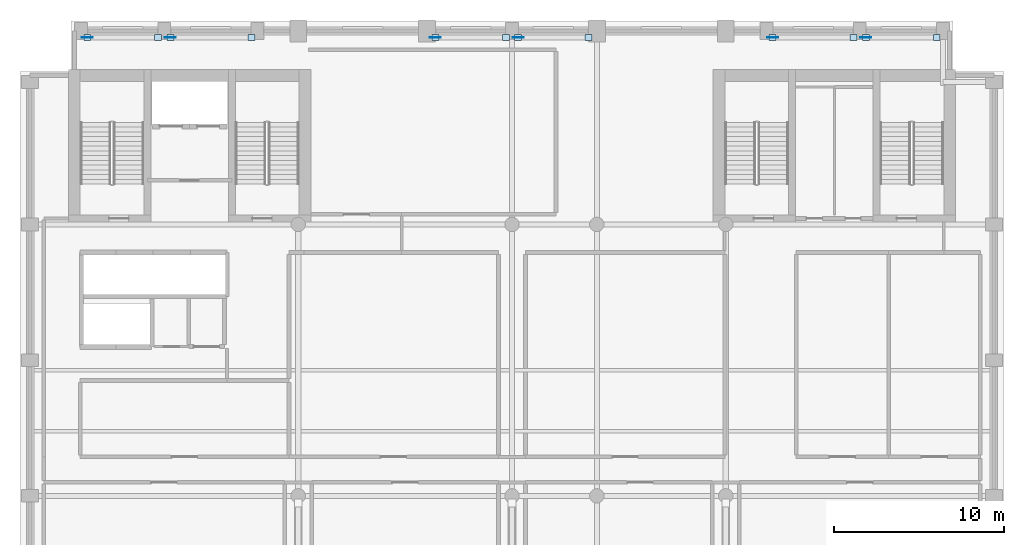
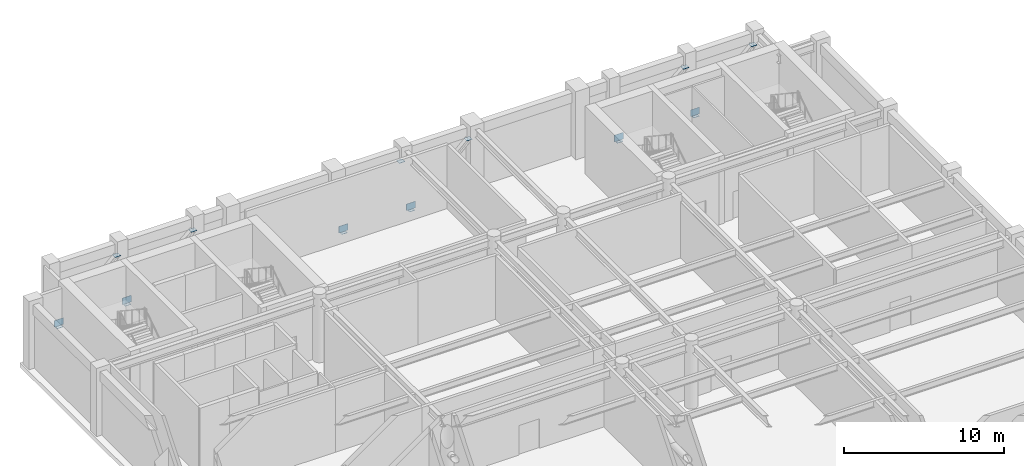
# One storey, part 4 of 11: 18 plates.
"""IFC4 building model written with IfcOpenShell, lengths in metres."""

import ifcopenshell
import ifcopenshell.guid

model = None  # the IFC model being written
_history = None  # IfcOwnerHistory: only IFC2X3 demands one
_inside = {}  # id of a spatial element -> (the spatial element, [elements in it])
_under = {}  # id of a project, library or spatial element -> (it, [spatial elements below it])
_declared = {}  # id of a project -> (the project, [libraries it declares])
_typed = {}  # id of a type object -> (the type object, [elements of that type])
_made_of = {}  # id of a material, layer set ... -> (it, [elements and type objects made of it])


def new_model(schema):
    """Start an empty IFC model of exactly this schema.

    Asked for "IFC4X3", IfcOpenShell would pick the latest addendum, in which some entities
    have other attributes; the version numbers below select the first issue.
    IFC2X3 requires an IfcOwnerHistory on every rooted entity: one is made here for all.
    """
    global model, _history
    if schema == "IFC4X3":
        model = ifcopenshell.file(schema_version=(4, 3, 0, 0))
    else:
        model = ifcopenshell.file(schema=schema)
    _inside.clear()
    _under.clear()
    _declared.clear()
    _typed.clear()
    _made_of.clear()
    _history = None
    if model.schema == "IFC2X3":
        org = make("IfcOrganization", Name="unknown")
        user = make(
            "IfcPersonAndOrganization",
            ThePerson=make("IfcPerson", FamilyName="unknown"),
            TheOrganization=org,
        )
        app = make(
            "IfcApplication",
            ApplicationDeveloper=org,
            Version="unknown",
            ApplicationFullName="unknown",
            ApplicationIdentifier="unknown",
        )
        _history = make(
            "IfcOwnerHistory",
            OwningUser=user,
            OwningApplication=app,
            ChangeAction="ADDED",
            CreationDate=0,
        )
    return model


def make(cls, **values):
    """One entity of the class cls with the attributes given. An attribute that is None is left unset."""
    return model.create_entity(
        cls, **{name: value for name, value in values.items() if value is not None}
    )


def rooted(cls, **values):
    """An entity with a GlobalId (a new one), such as an element, a storey or a relation."""
    return make(cls, GlobalId=ifcopenshell.guid.new(), OwnerHistory=_history, **values)


def si_unit(unit_type, name, prefix=None):
    """IfcSIUnit, for example si_unit("LENGTHUNIT", "METRE", prefix="MILLI")."""
    return make("IfcSIUnit", UnitType=unit_type, Prefix=prefix, Name=name)


def assignment(units):
    """IfcUnitAssignment: the units of a project."""
    return None if units is None else make("IfcUnitAssignment", Units=units)


def point(xyz):
    """IfcCartesianPoint."""
    return None if xyz is None else make("IfcCartesianPoint", Coordinates=xyz)


def direction(xyz):
    """IfcDirection."""
    return None if xyz is None else make("IfcDirection", DirectionRatios=xyz)


def frame(location, z_axis=None, x_axis=None):
    """IfcAxis2Placement3D, a coordinate frame: its origin and axes. An axis left out is left unset."""
    return make(
        "IfcAxis2Placement3D",
        Location=point(location),
        Axis=direction(z_axis),
        RefDirection=direction(x_axis),
    )


def frame_2d(location, x_axis=None):
    """IfcAxis2Placement2D, a coordinate frame in the plane: its origin and x axis."""
    return make(
        "IfcAxis2Placement2D", Location=point(location), RefDirection=direction(x_axis)
    )


def origin():
    """The frame at (0, 0, 0) with its axes left unset."""
    return frame((0.0, 0.0, 0.0))


def origin_2d():
    """The frame at (0, 0) in the plane with its x axis left unset."""
    return frame_2d((0.0, 0.0))


def place(relative_to, where):
    """IfcLocalPlacement: puts the frame where relative to a parent placement (None: the world)."""
    return make(
        "IfcLocalPlacement", PlacementRelTo=relative_to, RelativePlacement=where
    )


def context(
    kind, dimensions, precision=None, world=None, true_north=None, identifier=None
):
    """IfcGeometricRepresentationContext, for example the 3D "Model" context."""
    return make(
        "IfcGeometricRepresentationContext",
        ContextIdentifier=identifier,
        ContextType=kind,
        CoordinateSpaceDimension=dimensions,
        Precision=precision,
        WorldCoordinateSystem=world,
        TrueNorth=true_north,
    )


def subcontext(parent, identifier, kind, view, scale=None):
    """IfcGeometricRepresentationSubContext, for example "Body" below "Model"."""
    return make(
        "IfcGeometricRepresentationSubContext",
        ContextIdentifier=identifier,
        ContextType=kind,
        ParentContext=parent,
        TargetScale=scale,
        TargetView=view,
    )


def project(units=None, contexts=None):
    """IfcProject with its units and contexts."""
    return rooted(
        "IfcProject",
        Name="project",
        RepresentationContexts=contexts,
        UnitsInContext=assignment(units),
    )


def spatial(cls, under=None, at=None, **own):
    """A site, building, storey or space (cls), placed at a placement, below another one or the project."""
    s = rooted(cls, ObjectPlacement=at, **own)
    if under is not None:
        _under.setdefault(under.id(), (under, []))[1].append(s)
    return s


def profile(cls, at=None, kind="AREA", **sizes):
    """A parametric profile (cls). Its sizes go by their IFC names, for example OverallWidth=200.0."""
    return make(cls, ProfileType=kind, Position=at, **sizes)


def rectangle(**sizes):
    """IfcRectangleProfileDef."""
    return profile("IfcRectangleProfileDef", **sizes)


def extrude(swept, where, along, depth):
    """IfcExtrudedAreaSolid: the profile swept, set in the frame where, extruded along a direction by depth."""
    return make(
        "IfcExtrudedAreaSolid",
        SweptArea=swept,
        Position=where,
        ExtrudedDirection=direction(along),
        Depth=depth,
    )


def shape(context_of_items, identifier, shape_type, items):
    """IfcShapeRepresentation: the items that make up one representation, for example the "Body"."""
    return make(
        "IfcShapeRepresentation",
        ContextOfItems=context_of_items,
        RepresentationIdentifier=identifier,
        RepresentationType=shape_type,
        Items=items,
    )


def material(Name=None, Category=None):
    """IfcMaterial."""
    return make("IfcMaterial", Name=Name, Category=Category)


def layer(
    of_material, thickness, ventilated=None, Name=None, Category=None, Priority=None
):
    """IfcMaterialLayer: one layer of a wall or slab, of a material (None: an air gap)."""
    return make(
        "IfcMaterialLayer",
        Material=of_material,
        LayerThickness=thickness,
        IsVentilated=ventilated,
        Name=Name,
        Category=Category,
        Priority=Priority,
    )


def layer_set(layers, Name=None):
    """IfcMaterialLayerSet."""
    return make("IfcMaterialLayerSet", MaterialLayers=layers, LayerSetName=Name)


def made_of(thing, what):
    """Note that an element or type object is made of a material, layer set ...; save() writes the relation."""
    if what is not None:
        _made_of.setdefault(what.id(), (what, []))[1].append(thing)
    return thing


def type_object(cls, material=None, **own):
    """A type object (cls), such as IfcWallType, which elements share."""
    return made_of(rooted(cls, **own), material)


def element(
    cls,
    number,
    at=None,
    inside=None,
    cuts=None,
    type_object=None,
    material=None,
    context=None,
    identifier="Body",
    shape_type=None,
    held_by="IfcProductDefinitionShape",
    body=None,
    shapes=None,
    **own,
):
    """One element of the class cls, such as IfcWall. Its Tag is "e" and its number.

    at: its placement. inside: the storey or other place that contains it. cuts: it is an
    opening in that element (IfcRelVoidsElement). A single representation is given by context,
    identifier, shape_type and body (its items); several are given by shapes. held_by: the class
    of the entity that holds the representations. save() writes the other relations.
    """
    e = rooted(cls, Tag="e%d" % number, ObjectPlacement=at, **own)
    if body is not None:
        shapes = [shape(context, identifier, shape_type, body)]
    if shapes is not None:
        e.Representation = make(held_by, Representations=shapes)
    if inside is not None:
        _inside.setdefault(inside.id(), (inside, []))[1].append(e)
    if cuts is not None:
        rooted(
            "IfcRelVoidsElement", RelatingBuildingElement=cuts, RelatedOpeningElement=e
        )
    if type_object is not None:
        _typed.setdefault(type_object.id(), (type_object, []))[1].append(e)
    return made_of(e, material)


def aggregate(whole, parts):
    """IfcRelAggregates: a whole, such as a stair, and the parts it consists of."""
    return rooted("IfcRelAggregates", RelatingObject=whole, RelatedObjects=parts)


def save(model, path):
    """Write the relations noted so far, then the file.

    IfcRelAggregates (storeys below a building ...), IfcRelContainedInSpatialStructure (elements
    in a storey), IfcRelDefinesByType, IfcRelAssociatesMaterial and IfcRelDeclares: one each for
    every whole, place, type object, material and project.
    """
    for whole, parts in _under.values():
        aggregate(whole, parts)
    for where, things in _inside.values():
        rooted(
            "IfcRelContainedInSpatialStructure",
            RelatedElements=things,
            RelatingStructure=where,
        )
    for kind, things in _typed.values():
        rooted("IfcRelDefinesByType", RelatedObjects=things, RelatingType=kind)
    for what, things in _made_of.values():
        rooted("IfcRelAssociatesMaterial", RelatedObjects=things, RelatingMaterial=what)
    for by, libraries in _declared.values():
        rooted("IfcRelDeclares", RelatingContext=by, RelatedDefinitions=libraries)
    model.write(path)


model = new_model("IFC4")

# Units and contexts
model_context = context("Model", 3, precision=1e-05, world=origin(), true_north=direction((0.0, 1.0)))
body_context = subcontext(model_context, "Body", "Model", "MODEL_VIEW")
ifc_project = project(units=[si_unit("LENGTHUNIT", "METRE"), si_unit("AREAUNIT", "SQUARE_METRE"), si_unit("VOLUMEUNIT", "CUBIC_METRE"), si_unit("PLANEANGLEUNIT", "RADIAN"), si_unit("MASSUNIT", "GRAM", prefix="KILO")], contexts=[model_context])

# Site, building, storey
site_placement = place(None, origin())
site = spatial("IfcSite", under=ifc_project, at=site_placement, CompositionType="ELEMENT")
building_placement = place(site_placement, origin())
building = spatial("IfcBuilding", under=site, at=building_placement, Name="Sulina Concourse Tower", CompositionType="ELEMENT")
storey_placement = place(building_placement, frame((0.0, 0.0, 238.60009765625)))
storey = spatial("IfcBuildingStorey", under=building, at=storey_placement, Name="L58", CompositionType="ELEMENT", Elevation=238.60009765625)

# Plates
ifc_material_1 = material(Name="Steel S355", Category="steel")
ifc_layer_1 = layer(ifc_material_1, 0.02490234375)
ifc_layer_set_1 = layer_set([ifc_layer_1], Name="Steel S355")
plate_type_1 = type_object("IfcPlateType", Name="Belt Truss Node Gusset Plate 25mm", PredefinedType="USERDEFINED", material=ifc_layer_set_1)
for number, where, z_axis, x_axis, name in (
    (1, (3.965087890625, 45.02001953125, 0.199951171875), (0.0, 0.0, 1.0), (1.0, 0.0, 0.0), "BLT-N1-L58 node gusset plate"),
    (2, (8.864990234375, 45.02001953125, 0.199951171875), (0.0, 0.0, 1.0), (1.0, 0.0, 0.0), "BLT-N2-L58 node gusset plate"),
    (3, (24.489990234375, 45.02001953125, 0.199951171875), (0.0, 0.0, 1.0), (1.0, 0.0, 0.0), "BLT-N3-L58 node gusset plate"),
    (4, (29.364990234375, 45.02001953125, 0.199951171875), (0.0, 0.0, 1.0), (1.0, 0.0, 0.0), "BLT-N4-L58 node gusset plate"),
    (5, (44.364990234375, 45.02001953125, 0.199951171875), (0.0, 0.0, 1.0), (1.0, 0.0, 0.0), "BLT-N5-L58 node gusset plate"),
    (6, (49.864990234375, 45.02001953125, 0.199951171875), (0.0, 0.0, 1.0), (1.0, 0.0, 0.0), "BLT-N6-L58 node gusset plate"),
):
    element("IfcPlate", number, at=place(storey_placement, frame(where, z_axis=z_axis, x_axis=x_axis)), inside=storey, type_object=plate_type_1, Name=name, ObjectType="GUSSET_PLATE", PredefinedType="USERDEFINED", context=body_context, shape_type="SweptSolid", body=[
        extrude(rectangle(XDim=0.64990234375, YDim=0.02490234375, at=origin_2d()), origin(), (0.0, 0.0, 1.0), 0.5),
    ])
ifc_material_2 = material(Name="Steel S355", Category="steel")
ifc_layer_2 = layer(ifc_material_2, 0.02001953125)
ifc_layer_set_2 = layer_set([ifc_layer_2], Name="Steel S355")
plate_type_2 = type_object("IfcPlateType", Name="Upper Hollow Brace End-Cap Plate 20mm", PredefinedType="USERDEFINED", material=ifc_layer_set_2)
for number, where, z_axis, x_axis, name in (
    (7, (3.965087890625, 45.02001953125, 0.139892578125), (0.0, 0.0, 1.0), (1.0, 0.0, 0.0), "BLT-N1-L58 end cap plate 1"),
    (8, (8.135009765625, 45.02001953125, 4.10986328125), (0.0, 0.0, 1.0), (1.0, 0.0, 0.0), "BLT-N1-L58 end cap plate 2"),
    (9, (8.864990234375, 45.02001953125, 0.139892578125), (0.0, 0.0, 1.0), (1.0, 0.0, 0.0), "BLT-N2-L58 end cap plate 1"),
    (10, (13.635009765625, 45.02001953125, 4.10986328125), (0.0, 0.0, 1.0), (1.0, 0.0, 0.0), "BLT-N2-L58 end cap plate 2"),
    (11, (24.489990234375, 45.02001953125, 0.139892578125), (0.0, 0.0, 1.0), (1.0, 0.0, 0.0), "BLT-N3-L58 end cap plate 1"),
    (12, (28.635009765625, 45.02001953125, 4.10986328125), (0.0, 0.0, 1.0), (1.0, 0.0, 0.0), "BLT-N3-L58 end cap plate 2"),
    (13, (29.364990234375, 45.02001953125, 0.139892578125), (0.0, 0.0, 1.0), (1.0, 0.0, 0.0), "BLT-N4-L58 end cap plate 1"),
    (14, (33.510009765625, 45.02001953125, 4.10986328125), (0.0, 0.0, 1.0), (1.0, 0.0, 0.0), "BLT-N4-L58 end cap plate 2"),
    (15, (44.364990234375, 45.02001953125, 0.139892578125), (0.0, 0.0, 1.0), (1.0, 0.0, 0.0), "BLT-N5-L58 end cap plate 1"),
    (16, (49.135009765625, 45.02001953125, 4.10986328125), (0.0, 0.0, 1.0), (1.0, 0.0, 0.0), "BLT-N5-L58 end cap plate 2"),
    (17, (49.864990234375, 45.02001953125, 0.139892578125), (0.0, 0.0, 1.0), (1.0, 0.0, 0.0), "BLT-N6-L58 end cap plate 1"),
    (18, (54.034912109375, 45.02001953125, 4.10986328125), (0.0, 0.0, 1.0), (1.0, 0.0, 0.0), "BLT-N6-L58 end cap plate 2"),
):
    element("IfcPlate", number, at=place(storey_placement, frame(where, z_axis=z_axis, x_axis=x_axis)), inside=storey, type_object=plate_type_2, Name=name, ObjectType="CAP_PLATE", PredefinedType="USERDEFINED", context=body_context, shape_type="SweptSolid", body=[
        extrude(rectangle(XDim=0.409912109375, YDim=0.360107421875, at=origin_2d()), origin(), (0.0, 0.0, 1.0), 0.02001953125),
    ])

save(model, "model.ifc")
